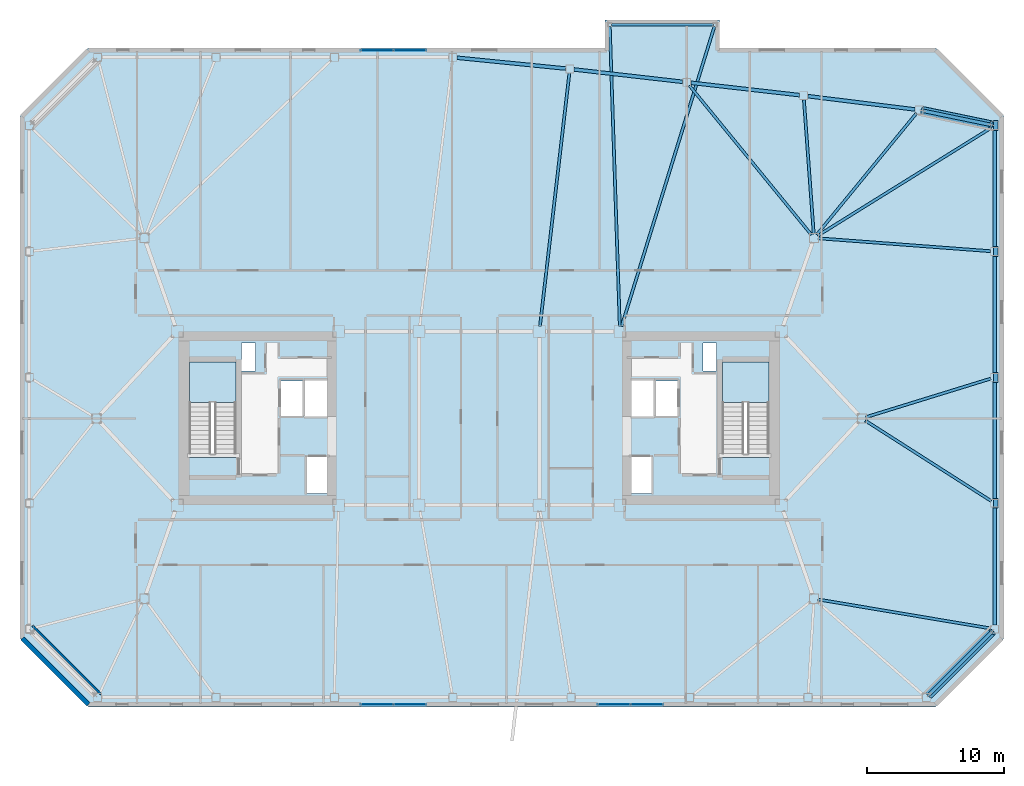
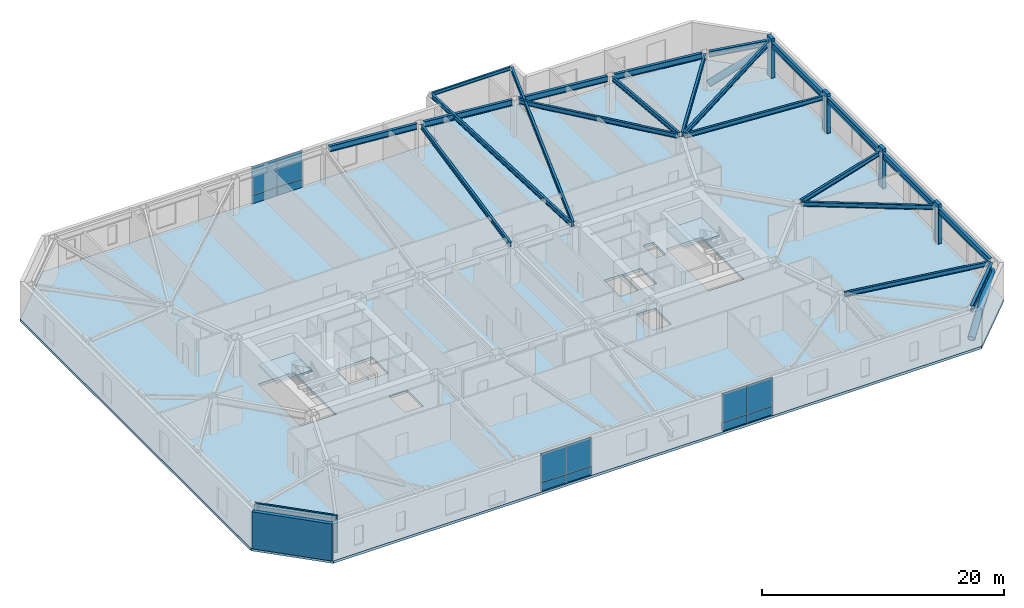
# One storey, part 9 of 18: 22 beams, 12 plates, 6 members, 3 slabs, 2 walls, 5 elements without a shape of their own.
"""IFC4 building model written with IfcOpenShell, lengths in metres."""

from ifc_helpers import new_model, si_unit, direction, frame, frame_2d, origin, origin_2d, place, context, subcontext, project, spatial, polyline, rectangle, hollow_circle, i_section, outline, extrude, material, layer, layer_set, material_profile, profile_set, type_object, element, aggregate, save


model = new_model("IFC4")

# Units and contexts
model_context = context("Model", 3, precision=1e-05, world=origin(), true_north=direction((0.0, 1.0)))
body_context = subcontext(model_context, "Body", "Model", "MODEL_VIEW")
ifc_project = project(units=[si_unit("LENGTHUNIT", "METRE"), si_unit("AREAUNIT", "SQUARE_METRE"), si_unit("VOLUMEUNIT", "CUBIC_METRE"), si_unit("PLANEANGLEUNIT", "RADIAN"), si_unit("MASSUNIT", "GRAM", prefix="KILO")], contexts=[model_context])

# Site, building, storey
site_placement = place(None, origin())
site = spatial("IfcSite", under=ifc_project, at=site_placement, CompositionType="ELEMENT")
building_placement = place(site_placement, origin())
building = spatial("IfcBuilding", under=site, at=building_placement, Name="Tavrogorsk Clinical Tower", CompositionType="ELEMENT")
storey_placement = place(building_placement, frame((0.0, 0.0, 184.199951171875)))
storey = spatial("IfcBuildingStorey", under=building, at=storey_placement, Name="L42", CompositionType="ELEMENT", Elevation=184.199951171875)

# Members
ifc_material_1 = material(Name="Structural steel S440", Category="steel")
ifc_material_profile_1 = material_profile(ifc_material_1, hollow_circle(Radius=0.304931640625, WallThickness=0.02490234375, at=origin_2d()), Name="CHS-610x25")
ifc_profile_set_1 = profile_set([ifc_material_profile_1], Name="Structural steel S440")
member_type_1 = type_object("IfcMemberType", Name="ExoBrace_CHS610", PredefinedType="BRACE", material=ifc_profile_set_1)
member_1_placement = place(storey_placement, frame((32.922607421875, -20.217529296875, 0.4130859375), z_axis=(0.657738695475, 0.657773644396, 0.3670335696), x_axis=(-0.707125566484, 0.70708799539, 0.0)))
element("IfcMember", 1, at=member_1_placement, inside=storey, type_object=member_type_1, Name="L42 Corner Exoskeleton Brace S8-E1", PredefinedType="BRACE", context=body_context, shape_type="SweptSolid", body=[
    extrude(hollow_circle(Radius=0.304931640625, WallThickness=0.02490234375, at=origin_2d()), origin(), (0.0, 0.0, 1.0), 6.985595703125),
])
member_2_placement = place(storey_placement, frame((32.461669921875, 22.509765625, 0.4365234375), z_axis=(0.877871206027, -0.181924853718, 0.442996042002), x_axis=(0.202922555913, 0.979194789764, 0.0)))
element("IfcMember", 2, at=member_2_placement, inside=storey, type_object=member_type_1, Name="L42 Corner Exoskeleton Brace E5-N1", PredefinedType="BRACE", context=body_context, shape_type="SweptSolid", body=[
    extrude(hollow_circle(Radius=0.304931640625, WallThickness=0.02490234375, at=origin_2d()), origin(), (0.0, 0.0, 1.0), 5.681884765625),
])

# Beams
ifc_material_2 = material(Name="Structural steel S355", Category="steel")
ifc_material_profile_2 = material_profile(ifc_material_2, i_section(OverallWidth=0.199951171875, OverallDepth=0.449951171875, WebThickness=0.011474609375, FlangeThickness=0.01806640625, at=origin_2d()), Name="B-450x200x11.5x18")
ifc_profile_set_2 = profile_set([ifc_material_profile_2], Name="Structural steel S355")
beam_type_1 = type_object("IfcBeamType", Name="FloorBeam_B450", PredefinedType="BEAM", material=ifc_profile_set_2)
beam_1_placement = place(storey_placement, frame((24.69677734375, 13.439453125, 3.51513671875), z_axis=(0.634628511763, 0.772817347151, 0.0), x_axis=(-0.772817347151, 0.634628511763, 0.0)))
element("IfcBeam", 3, at=beam_1_placement, inside=storey, type_object=beam_type_1, Name="L42 Radial Floor Beam N1", PredefinedType="BEAM", context=body_context, shape_type="SweptSolid", body=[
    extrude(i_section(OverallWidth=0.199951171875, OverallDepth=0.449951171875, WebThickness=0.011474609375, FlangeThickness=0.01806640625, at=origin_2d()), origin(), (0.0, 0.0, 1.0), 11.501220703125),
])
beam_2_placement = place(storey_placement, frame((24.477294921875, 13.50927734375, 3.51513671875), z_axis=(-0.072962981763, 0.9973346496, 0.0), x_axis=(-0.9973346496, -0.072962981763, 0.0)))
element("IfcBeam", 4, at=beam_2_placement, inside=storey, type_object=beam_type_1, Name="L42 Radial Floor Beam N2", PredefinedType="BEAM", context=body_context, shape_type="SweptSolid", body=[
    extrude(i_section(OverallWidth=0.199951171875, OverallDepth=0.449951171875, WebThickness=0.011474609375, FlangeThickness=0.01806640625, at=origin_2d()), origin(), (0.0, 0.0, 1.0), 9.827392578125),
])
beam_3_placement = place(storey_placement, frame((24.3037109375, 13.43994140625, 3.51513671875), z_axis=(-0.632955765669, 0.774187960838, 0.0), x_axis=(-0.774187960838, -0.632955765669, 0.0)))
element("IfcBeam", 5, at=beam_3_placement, inside=storey, type_object=beam_type_1, Name="L42 Radial Floor Beam N3", PredefinedType="BEAM", context=body_context, shape_type="SweptSolid", body=[
    extrude(i_section(OverallWidth=0.199951171875, OverallDepth=0.449951171875, WebThickness=0.011474609375, FlangeThickness=0.01806640625, at=origin_2d()), origin(), (0.0, 0.0, 1.0), 14.09716796875),
])
beam_4_placement = place(storey_placement, frame((4.447265625, 6.75732421875, 3.51513671875), z_axis=(0.115490633481, 0.993308569166, 0.0), x_axis=(-0.993308569166, 0.115490633481, 0.0)))
element("IfcBeam", 6, at=beam_4_placement, inside=storey, type_object=beam_type_1, Name="L42 Radial Floor Beam N4", PredefinedType="BEAM", context=body_context, shape_type="SweptSolid", body=[
    extrude(i_section(OverallWidth=0.199951171875, OverallDepth=0.449951171875, WebThickness=0.011474609375, FlangeThickness=0.01806640625, at=origin_2d()), origin(), (0.0, 0.0, 1.0), 18.628173828125),
])
beam_5_placement = place(storey_placement, frame((24.8056640625, -13.251220703125, 3.51513671875), z_axis=(0.986191418361, -0.165609439197, 0.0), x_axis=(0.165609439197, 0.986191418361, 0.0)))
element("IfcBeam", 7, at=beam_5_placement, inside=storey, type_object=beam_type_1, Name="L42 Radial Floor Beam E1", PredefinedType="BEAM", context=body_context, shape_type="SweptSolid", body=[
    extrude(i_section(OverallWidth=0.199951171875, OverallDepth=0.449951171875, WebThickness=0.011474609375, FlangeThickness=0.01806640625, at=origin_2d()), origin(), (0.0, 0.0, 1.0), 12.787109375),
])
beam_6_placement = place(storey_placement, frame((28.26123046875, -0.1669921875, 3.51513671875), z_axis=(0.842699642064, -0.538383983106, 0.0), x_axis=(0.538383983106, 0.842699642064, 0.0)))
element("IfcBeam", 8, at=beam_6_placement, inside=storey, type_object=beam_type_1, Name="L42 Radial Floor Beam E2", PredefinedType="BEAM", context=body_context, shape_type="SweptSolid", body=[
    extrude(i_section(OverallWidth=0.199951171875, OverallDepth=0.449951171875, WebThickness=0.011474609375, FlangeThickness=0.01806640625, at=origin_2d()), origin(), (0.0, 0.0, 1.0), 10.916259765625),
])
beam_7_placement = place(storey_placement, frame((28.296142578125, 0.09130859375, 3.51513671875), z_axis=(0.955521187686, 0.294922464187, 0.0), x_axis=(-0.294922464187, 0.955521187686, 0.0)))
element("IfcBeam", 9, at=beam_7_placement, inside=storey, type_object=beam_type_1, Name="L42 Radial Floor Beam E3", PredefinedType="BEAM", context=body_context, shape_type="SweptSolid", body=[
    extrude(i_section(OverallWidth=0.199951171875, OverallDepth=0.449951171875, WebThickness=0.011474609375, FlangeThickness=0.01806640625, at=origin_2d()), origin(), (0.0, 0.0, 1.0), 9.5546875),
])
beam_8_placement = place(storey_placement, frame((24.80908203125, 13.1767578125, 3.51513671875), z_axis=(0.997207767172, -0.074677098845, 0.0), x_axis=(0.074677098845, 0.997207767172, 0.0)))
element("IfcBeam", 10, at=beam_8_placement, inside=storey, type_object=beam_type_1, Name="L42 Radial Floor Beam E4", PredefinedType="BEAM", context=body_context, shape_type="SweptSolid", body=[
    extrude(i_section(OverallWidth=0.199951171875, OverallDepth=0.449951171875, WebThickness=0.011474609375, FlangeThickness=0.01806640625, at=origin_2d()), origin(), (0.0, 0.0, 1.0), 12.63916015625),
])
beam_9_placement = place(storey_placement, frame((24.76318359375, 13.36376953125, 3.51513671875), z_axis=(0.849229115923, 0.528024534154, 0.0), x_axis=(-0.528024534154, 0.849229115923, 0.0)))
element("IfcBeam", 11, at=beam_9_placement, inside=storey, type_object=beam_type_1, Name="L42 Radial Floor Beam E5", PredefinedType="BEAM", context=body_context, shape_type="SweptSolid", body=[
    extrude(i_section(OverallWidth=0.199951171875, OverallDepth=0.449951171875, WebThickness=0.011474609375, FlangeThickness=0.01806640625, at=origin_2d()), origin(), (0.0, 0.0, 1.0), 14.94921875),
])
beam_10_placement = place(storey_placement, frame((10.286376953125, 6.759765625, 3.51513671875), z_axis=(-0.033391250591, 0.999442356709, 0.0), x_axis=(-0.999442356709, -0.033391250591, 0.0)))
element("IfcBeam", 12, at=beam_10_placement, inside=storey, type_object=beam_type_1, Name="L42 Day-Room Cantilever Beam DRB-06-L", PredefinedType="BEAM", context=body_context, shape_type="SweptSolid", body=[
    extrude(i_section(OverallWidth=0.199951171875, OverallDepth=0.449951171875, WebThickness=0.011474609375, FlangeThickness=0.01806640625, at=origin_2d()), origin(), (0.0, 0.0, 1.0), 21.91259765625),
])
beam_11_placement = place(storey_placement, frame((10.421142578125, 6.74169921875, 3.51513671875), z_axis=(0.295730646784, 0.95527136697, 0.0), x_axis=(-0.95527136697, 0.295730646784, 0.0)))
element("IfcBeam", 13, at=beam_11_placement, inside=storey, type_object=beam_type_1, Name="L42 Day-Room Cantilever Beam DRB-06-R", PredefinedType="BEAM", context=body_context, shape_type="SweptSolid", body=[
    extrude(i_section(OverallWidth=0.199951171875, OverallDepth=0.449951171875, WebThickness=0.011474609375, FlangeThickness=0.01806640625, at=origin_2d()), origin(), (0.0, 0.0, 1.0), 22.951171875),
])

# Members
ifc_material_3 = material(Name="Precast concrete B45 with limestone cladding", Category="masonry")
ifc_material_profile_3 = material_profile(ifc_material_3, rectangle(XDim=0.320068359375, YDim=0.719970703125, at=origin_2d()), Name="LIMESTONE-FIN-320x720")
ifc_profile_set_3 = profile_set([ifc_material_profile_3], Name="Precast concrete B45 with limestone cladding")
member_type_2 = type_object("IfcMemberType", Name="LimestonePleatFin_320x720", PredefinedType="USERDEFINED", material=ifc_profile_set_3)
for number, where, z_axis, x_axis, name in (
    (14, (37.800048828125, -6.2099609375, 0.0), (0.0, 0.0, 1.0), (1.0, 0.0, 0.0), "L42 E Pleated Stone Fin 1"),
    (15, (37.800048828125, 3.0, 0.0), (0.0, 0.0, 1.0), (1.0, 0.0, 0.0), "L42 E Pleated Stone Fin 2"),
    (16, (37.800048828125, 12.2099609375, 0.0), (0.0, 0.0, 1.0), (1.0, 0.0, 0.0), "L42 E Pleated Stone Fin 3"),
    (17, (37.800048828125, 21.419921875, 0.0), (0.0, 0.0, 1.0), (1.0, 0.0, 0.0), "L42 E Pleated Stone Fin 4"),
):
    element("IfcMember", number, at=place(storey_placement, frame(where, z_axis=z_axis, x_axis=x_axis)), inside=storey, type_object=member_type_2, Name=name, ObjectType="FIN", PredefinedType="USERDEFINED", context=body_context, shape_type="SweptSolid", body=[
        extrude(rectangle(XDim=0.320068359375, YDim=0.719970703125, at=origin_2d()), origin(), (0.0, 0.0, 1.0), 4.0),
    ])

# Beams
ifc_material_4 = material(Name="Structural steel S355", Category="steel")
ifc_material_profile_4 = material_profile(ifc_material_4, i_section(OverallWidth=0.175048828125, OverallDepth=0.35009765625, WebThickness=0.009521484375, FlangeThickness=0.013916015625, at=origin_2d()), Name="B-350x175x9.5x14")
ifc_profile_set_4 = profile_set([ifc_material_profile_4], Name="Structural steel S355")
beam_type_2 = type_object("IfcBeamType", Name="SecondaryJoist_B350", PredefinedType="JOIST", material=ifc_profile_set_4)
beam_12_placement = place(storey_placement, frame((9.669921875, 28.800048828125, 3.56494140625), z_axis=(1.0, 0.0, 0.0), x_axis=(0.0, 1.0, 0.0)))
element("IfcBeam", 18, at=beam_12_placement, inside=storey, type_object=beam_type_2, Name="L42 Day-Room Front Edge Beam DRB-06", PredefinedType="JOIST", context=body_context, shape_type="SweptSolid", body=[
    extrude(i_section(OverallWidth=0.175048828125, OverallDepth=0.35009765625, WebThickness=0.009521484375, FlangeThickness=0.013916015625, at=origin_2d()), origin(), (0.0, 0.0, 1.0), 7.4599609375),
])
ifc_material_5 = material(Name="Structural steel S390", Category="steel")
ifc_material_profile_5 = material_profile(ifc_material_5, i_section(OverallWidth=0.260009765625, OverallDepth=0.60009765625, WebThickness=0.014892578125, FlangeThickness=0.02392578125, at=origin_2d()), Name="B-600x260x15x24")
ifc_profile_set_5 = profile_set([ifc_material_profile_5], Name="Structural steel S390")
beam_type_3 = type_object("IfcBeamType", Name="SpandrelBeam_B600", PredefinedType="SPANDREL", material=ifc_profile_set_5)
beam_13_placement = place(storey_placement, frame((32.937744140625, -20.2021484375, 3.43994140625), z_axis=(0.707106781187, 0.707106781187, 0.0), x_axis=(-0.707106781187, 0.707106781187, 0.0)))
element("IfcBeam", 19, at=beam_13_placement, inside=storey, type_object=beam_type_3, Name="L42 Perimeter Spandrel S8-E1", PredefinedType="SPANDREL", context=body_context, shape_type="SweptSolid", body=[
    extrude(i_section(OverallWidth=0.260009765625, OverallDepth=0.60009765625, WebThickness=0.014892578125, FlangeThickness=0.02392578125, at=origin_2d()), origin(), (0.0, 0.0, 1.0), 6.455078125),
])
for number, where, z_axis, x_axis, name in (
    (20, (37.719970703125, -15.112060546875, 3.43994140625), (0.0, 1.0, 0.0), (-1.0, 0.0, 0.0), "L42 Perimeter Spandrel E1-E2"),
    (21, (37.719970703125, -5.902099609375, 3.43994140625), (0.0, 1.0, 0.0), (-1.0, 0.0, 0.0), "L42 Perimeter Spandrel E2-E3"),
    (22, (37.719970703125, 3.30810546875, 3.43994140625), (0.0, 1.0, 0.0), (-1.0, 0.0, 0.0), "L42 Perimeter Spandrel E3-E4"),
    (23, (37.719970703125, 12.51806640625, 3.43994140625), (0.0, 1.0, 0.0), (-1.0, 0.0, 0.0), "L42 Perimeter Spandrel E4-E5"),
):
    element("IfcBeam", number, at=place(storey_placement, frame(where, z_axis=z_axis, x_axis=x_axis)), inside=storey, type_object=beam_type_3, Name=name, PredefinedType="SPANDREL", context=body_context, shape_type="SweptSolid", body=[
        extrude(i_section(OverallWidth=0.260009765625, OverallDepth=0.60009765625, WebThickness=0.014892578125, FlangeThickness=0.02392578125, at=origin_2d()), origin(), (0.0, 0.0, 1.0), 8.593994140625),
    ])
beam_14_placement = place(storey_placement, frame((37.41845703125, 21.482421875, 3.43994140625), z_axis=(-0.979184643877, 0.202971508337, 0.0), x_axis=(-0.202971508337, -0.979184643877, 0.0)))
element("IfcBeam", 24, at=beam_14_placement, inside=storey, type_object=beam_type_3, Name="L42 Perimeter Spandrel E5-N1", PredefinedType="SPANDREL", context=body_context, shape_type="SweptSolid", body=[
    extrude(i_section(OverallWidth=0.260009765625, OverallDepth=0.60009765625, WebThickness=0.014892578125, FlangeThickness=0.02392578125, at=origin_2d()), origin(), (0.0, 0.0, 1.0), 5.0302734375),
])
beam_15_placement = place(storey_placement, frame((31.8857421875, 22.60400390625, 3.43994140625), z_axis=(-0.992347112015, 0.123479590521, 0.0), x_axis=(-0.123479590521, -0.992347112015, 0.0)))
element("IfcBeam", 25, at=beam_15_placement, inside=storey, type_object=beam_type_3, Name="L42 Perimeter Spandrel N1-N2", PredefinedType="SPANDREL", context=body_context, shape_type="SweptSolid", body=[
    extrude(i_section(OverallWidth=0.260009765625, OverallDepth=0.60009765625, WebThickness=0.014892578125, FlangeThickness=0.02392578125, at=origin_2d()), origin(), (0.0, 0.0, 1.0), 7.90283203125),
])
beam_16_placement = place(storey_placement, frame((23.431884765625, 23.652587890625, 3.43994140625), z_axis=(-0.993569841398, 0.113220891465, 0.0), x_axis=(-0.113220891465, -0.993569841398, 0.0)))
element("IfcBeam", 26, at=beam_16_placement, inside=storey, type_object=beam_type_3, Name="L42 Perimeter Spandrel N2-N3", PredefinedType="SPANDREL", context=body_context, shape_type="SweptSolid", body=[
    extrude(i_section(OverallWidth=0.260009765625, OverallDepth=0.60009765625, WebThickness=0.014892578125, FlangeThickness=0.02392578125, at=origin_2d()), origin(), (0.0, 0.0, 1.0), 7.9912109375),
])
beam_17_placement = place(storey_placement, frame((14.8798828125, 24.626953125, 3.43994140625), z_axis=(-0.993569449752, 0.113224328304, 0.0), x_axis=(-0.113224328304, -0.993569449752, 0.0)))
element("IfcBeam", 27, at=beam_17_placement, inside=storey, type_object=beam_type_3, Name="L42 Perimeter Spandrel N3-N4", PredefinedType="SPANDREL", context=body_context, shape_type="SweptSolid", body=[
    extrude(i_section(OverallWidth=0.260009765625, OverallDepth=0.60009765625, WebThickness=0.014892578125, FlangeThickness=0.02392578125, at=origin_2d()), origin(), (0.0, 0.0, 1.0), 7.990966796875),
])
beam_18_placement = place(storey_placement, frame((6.32763671875, 25.59716796875, 3.43994140625), z_axis=(-0.995074624158, 0.099128665666, 0.0), x_axis=(-0.099128665666, -0.995074624158, 0.0)))
element("IfcBeam", 28, at=beam_18_placement, inside=storey, type_object=beam_type_3, Name="L42 Perimeter Spandrel N4-N5", PredefinedType="SPANDREL", context=body_context, shape_type="SweptSolid", body=[
    extrude(i_section(OverallWidth=0.260009765625, OverallDepth=0.60009765625, WebThickness=0.014892578125, FlangeThickness=0.02392578125, at=origin_2d()), origin(), (0.0, 0.0, 1.0), 7.991943359375),
])

# Curtain wall, plates
ifc_material_6 = material(Name="Anodised aluminium and triple IGU glazing", Category="aluminium")
ifc_layer_1 = layer(ifc_material_6, 0.179931640625)
ifc_layer_set_1 = layer_set([ifc_layer_1], Name="Anodised aluminium and triple IGU glazing")
curtain_wall_type_1 = type_object("IfcCurtainWallType", Name="CW3_SouthSlot", PredefinedType="NOTDEFINED", material=ifc_layer_set_1)
curtain_wall_1_placement = place(storey_placement, origin())
curtain_wall_1 = element("IfcCurtainWall", 29, at=curtain_wall_1_placement, inside=storey, type_object=curtain_wall_type_1, Name="L42 Curtain Wall CW-L42-S-SLOT-1", PredefinedType="NOTDEFINED")
ifc_material_7 = material(Name="Honed Podolsk limestone spandrel panel", Category="masonry")
ifc_layer_2 = layer(ifc_material_7, 0.080078125)
ifc_layer_set_2 = layer_set([ifc_layer_2], Name="Honed Podolsk limestone spandrel panel")
plate_type_1 = type_object("IfcPlateType", Name="CwSpandrelStonePanel_80", PredefinedType="CURTAIN_PANEL", material=ifc_layer_set_2)
plate_1_placement = place(storey_placement, frame((-7.470947265625, -20.929931640625, 0.002197265625), z_axis=(0.0, 0.0, 1.0), x_axis=(1.0, 0.0, 0.0)))
plate_1 = element("IfcPlate", 30, at=plate_1_placement, type_object=plate_type_1, Name="CW-L42-S-SLOT-1 Stone Spandrel Panel 1", PredefinedType="CURTAIN_PANEL", context=body_context, shape_type="SweptSolid", body=[
    extrude(rectangle(XDim=2.39208984375, YDim=0.080078125, at=origin_2d()), origin(), (0.0, 0.0, 1.0), 0.8359375),
])
plate_2_placement = place(storey_placement, frame((-5.054931640625, -20.929931640625, 0.002197265625), z_axis=(0.0, 0.0, 1.0), x_axis=(1.0, 0.0, 0.0)))
plate_2 = element("IfcPlate", 31, at=plate_2_placement, type_object=plate_type_1, Name="CW-L42-S-SLOT-1 Stone Spandrel Panel 2", PredefinedType="CURTAIN_PANEL", context=body_context, shape_type="SweptSolid", body=[
    extrude(rectangle(XDim=2.39208984375, YDim=0.080078125, at=origin_2d()), origin(), (0.0, 0.0, 1.0), 0.8359375),
])

curtain_wall_2_placement = place(storey_placement, origin())
curtain_wall_2 = element("IfcCurtainWall", 32, at=curtain_wall_2_placement, inside=storey, type_object=curtain_wall_type_1, Name="L42 Curtain Wall CW-L42-S-SLOT-2", PredefinedType="NOTDEFINED")
plate_3_placement = place(storey_placement, frame((9.854736328125, -20.929931640625, 0.002197265625), z_axis=(0.0, 0.0, 1.0), x_axis=(1.0, 0.0, 0.0)))
plate_3 = element("IfcPlate", 33, at=plate_3_placement, type_object=plate_type_1, Name="CW-L42-S-SLOT-2 Stone Spandrel Panel 1", PredefinedType="CURTAIN_PANEL", context=body_context, shape_type="SweptSolid", body=[
    extrude(rectangle(XDim=2.39208984375, YDim=0.080078125, at=origin_2d()), origin(), (0.0, 0.0, 1.0), 0.8359375),
])
plate_4_placement = place(storey_placement, frame((12.270751953125, -20.929931640625, 0.002197265625), z_axis=(0.0, 0.0, 1.0), x_axis=(1.0, 0.0, 0.0)))
plate_4 = element("IfcPlate", 34, at=plate_4_placement, type_object=plate_type_1, Name="CW-L42-S-SLOT-2 Stone Spandrel Panel 2", PredefinedType="CURTAIN_PANEL", context=body_context, shape_type="SweptSolid", body=[
    extrude(rectangle(XDim=2.39208984375, YDim=0.080078125, at=origin_2d()), origin(), (0.0, 0.0, 1.0), 0.8359375),
])

ifc_material_8 = material(Name="Anodised aluminium and triple IGU glazing", Category="aluminium")
ifc_layer_3 = layer(ifc_material_8, 0.179931640625)
ifc_layer_set_3 = layer_set([ifc_layer_3], Name="Anodised aluminium and triple IGU glazing")
curtain_wall_type_2 = type_object("IfcCurtainWallType", Name="CW2_NorthSlot", PredefinedType="NOTDEFINED", material=ifc_layer_set_3)
curtain_wall_3_placement = place(storey_placement, origin())
curtain_wall_3 = element("IfcCurtainWall", 35, at=curtain_wall_3_placement, inside=storey, type_object=curtain_wall_type_2, Name="L42 Curtain Wall CW-L42-N-SLOT-1", PredefinedType="NOTDEFINED")
plate_5_placement = place(storey_placement, frame((-5.054931640625, 26.929931640625, 0.002197265625), z_axis=(0.0, 0.0, 1.0), x_axis=(-1.0, 0.0, 0.0)))
plate_5 = element("IfcPlate", 36, at=plate_5_placement, type_object=plate_type_1, Name="CW-L42-N-SLOT-1 Stone Spandrel Panel 1", PredefinedType="CURTAIN_PANEL", context=body_context, shape_type="SweptSolid", body=[
    extrude(rectangle(XDim=2.39208984375, YDim=0.080078125, at=origin_2d()), origin(), (0.0, 0.0, 1.0), 0.8359375),
])
plate_6_placement = place(storey_placement, frame((-7.470947265625, 26.929931640625, 0.002197265625), z_axis=(0.0, 0.0, 1.0), x_axis=(-1.0, 0.0, 0.0)))
plate_6 = element("IfcPlate", 37, at=plate_6_placement, type_object=plate_type_1, Name="CW-L42-N-SLOT-1 Stone Spandrel Panel 2", PredefinedType="CURTAIN_PANEL", context=body_context, shape_type="SweptSolid", body=[
    extrude(rectangle(XDim=2.39208984375, YDim=0.080078125, at=origin_2d()), origin(), (0.0, 0.0, 1.0), 0.8359375),
])

# Plate
ifc_material_9 = material(Name="Triple low-E argon insulated glass", Category="glass")
ifc_layer_4 = layer(ifc_material_9, 0.048095703125)
ifc_layer_set_4 = layer_set([ifc_layer_4], Name="Triple low-E argon insulated glass")
plate_type_2 = type_object("IfcPlateType", Name="CwVisionGlassPanel_48", PredefinedType="CURTAIN_PANEL", material=ifc_layer_set_4)
plate_7_placement = place(storey_placement, frame((-7.470947265625, -20.929931640625, 0.862060546875), z_axis=(0.0, 0.0, 1.0), x_axis=(1.0, 0.0, 0.0)))
plate_7 = element("IfcPlate", 38, at=plate_7_placement, type_object=plate_type_2, Name="CW-L42-S-SLOT-1 Glazing Panel 1", PredefinedType="CURTAIN_PANEL", context=body_context, shape_type="SweptSolid", body=[
    extrude(rectangle(XDim=2.39208984375, YDim=0.048095703125, at=origin_2d()), origin(), (0.0, 0.0, 1.0), 2.8759765625),
])

plate_8_placement = place(storey_placement, frame((-5.054931640625, -20.929931640625, 0.862060546875), z_axis=(0.0, 0.0, 1.0), x_axis=(1.0, 0.0, 0.0)))
plate_8 = element("IfcPlate", 39, at=plate_8_placement, type_object=plate_type_2, Name="CW-L42-S-SLOT-1 Glazing Panel 2", PredefinedType="CURTAIN_PANEL", context=body_context, shape_type="SweptSolid", body=[
    extrude(rectangle(XDim=2.39208984375, YDim=0.048095703125, at=origin_2d()), origin(), (0.0, 0.0, 1.0), 2.8759765625),
])

aggregate(curtain_wall_1, [plate_1, plate_7, plate_2, plate_8])

plate_9_placement = place(storey_placement, frame((9.854736328125, -20.929931640625, 0.862060546875), z_axis=(0.0, 0.0, 1.0), x_axis=(1.0, 0.0, 0.0)))
plate_9 = element("IfcPlate", 40, at=plate_9_placement, type_object=plate_type_2, Name="CW-L42-S-SLOT-2 Glazing Panel 1", PredefinedType="CURTAIN_PANEL", context=body_context, shape_type="SweptSolid", body=[
    extrude(rectangle(XDim=2.39208984375, YDim=0.048095703125, at=origin_2d()), origin(), (0.0, 0.0, 1.0), 2.8759765625),
])

plate_10_placement = place(storey_placement, frame((12.270751953125, -20.929931640625, 0.862060546875), z_axis=(0.0, 0.0, 1.0), x_axis=(1.0, 0.0, 0.0)))
plate_10 = element("IfcPlate", 41, at=plate_10_placement, type_object=plate_type_2, Name="CW-L42-S-SLOT-2 Glazing Panel 2", PredefinedType="CURTAIN_PANEL", context=body_context, shape_type="SweptSolid", body=[
    extrude(rectangle(XDim=2.39208984375, YDim=0.048095703125, at=origin_2d()), origin(), (0.0, 0.0, 1.0), 2.8759765625),
])

aggregate(curtain_wall_2, [plate_3, plate_9, plate_4, plate_10])

plate_11_placement = place(storey_placement, frame((-5.054931640625, 26.929931640625, 0.862060546875), z_axis=(0.0, 0.0, 1.0), x_axis=(-1.0, 0.0, 0.0)))
plate_11 = element("IfcPlate", 42, at=plate_11_placement, type_object=plate_type_2, Name="CW-L42-N-SLOT-1 Glazing Panel 1", PredefinedType="CURTAIN_PANEL", context=body_context, shape_type="SweptSolid", body=[
    extrude(rectangle(XDim=2.39208984375, YDim=0.048095703125, at=origin_2d()), origin(), (0.0, 0.0, 1.0), 2.8759765625),
])

plate_12_placement = place(storey_placement, frame((-7.470947265625, 26.929931640625, 0.862060546875), z_axis=(0.0, 0.0, 1.0), x_axis=(-1.0, 0.0, 0.0)))
plate_12 = element("IfcPlate", 43, at=plate_12_placement, type_object=plate_type_2, Name="CW-L42-N-SLOT-1 Glazing Panel 2", PredefinedType="CURTAIN_PANEL", context=body_context, shape_type="SweptSolid", body=[
    extrude(rectangle(XDim=2.39208984375, YDim=0.048095703125, at=origin_2d()), origin(), (0.0, 0.0, 1.0), 2.8759765625),
])

aggregate(curtain_wall_3, [plate_5, plate_11, plate_6, plate_12])

# Stair, slab
ifc_material_10 = material(Name="Concrete B60", Category="concrete")
stair_type = type_object("IfcStairType", Name="CoreStairAssembly", PredefinedType="HALF_TURN_STAIR", material=ifc_material_10)
stair_1_placement = place(storey_placement, origin())
stair_1 = element("IfcStair", 44, at=stair_1_placement, inside=storey, type_object=stair_type, Name="L42 ST-W", PredefinedType="HALF_TURN_STAIR")
ifc_material_11 = material(Name="Concrete B60", Category="concrete")
ifc_layer_5 = layer(ifc_material_11, 0.199951171875)
ifc_layer_set_5 = layer_set([ifc_layer_5], Name="Concrete B60")
slab_type_1 = type_object("IfcSlabType", Name="StairLanding_200", PredefinedType="LANDING", material=ifc_layer_set_5)
slab_1_placement = place(storey_placement, frame((0.0, 0.0, 1.800048828125)))
slab_1 = element("IfcSlab", 45, at=slab_1_placement, type_object=slab_type_1, Name="ST-W landing 1", PredefinedType="LANDING", context=body_context, shape_type="SweptSolid", body=[
    extrude(outline(polyline([(-17.800048828125, 1.1650390625), (-17.800048828125, 4.125), (-21.199951171875, 4.125), (-21.199951171875, 1.1650390625), (-17.800048828125, 1.1650390625)])), origin(), (0.0, 0.0, 1.0), 0.199951171875),
])
aggregate(stair_1, [slab_1])

stair_2_placement = place(storey_placement, origin())
stair_2 = element("IfcStair", 46, at=stair_2_placement, inside=storey, type_object=stair_type, Name="L42 ST-E", PredefinedType="HALF_TURN_STAIR")
slab_2_placement = place(storey_placement, frame((0.0, 0.0, 1.800048828125)))
slab_2 = element("IfcSlab", 47, at=slab_2_placement, type_object=slab_type_1, Name="ST-E landing 1", PredefinedType="LANDING", context=body_context, shape_type="SweptSolid", body=[
    extrude(outline(polyline([(21.199951171875, 1.1650390625), (21.199951171875, 4.125), (17.800048828125, 4.125), (17.800048828125, 1.1650390625), (21.199951171875, 1.1650390625)])), origin(), (0.0, 0.0, 1.0), 0.199951171875),
])
aggregate(stair_2, [slab_2])

# Slab
ifc_material_12 = material(Name="Concrete B60", Category="concrete")
ifc_layer_6 = layer(ifc_material_12, 0.260009765625)
ifc_layer_set_6 = layer_set([ifc_layer_6], Name="Concrete B60")
slab_type_2 = type_object("IfcSlabType", Name="WardSlab_260", PredefinedType="FLOOR", material=ifc_layer_set_6)
slab_3_placement = place(storey_placement, frame((0.0, 0.0, -0.260009765625)))
element("IfcSlab", 48, at=slab_3_placement, inside=storey, type_object=slab_type_2, Name="L42 Structural Slab", PredefinedType="FLOOR", context=body_context, shape_type="SweptSolid", body=[
    extrude(outline(polyline([(33.39990234375, 27.10009765625), (38.39990234375, 22.10009765625), (38.39990234375, -16.10009765625), (33.39990234375, -21.10009765625), (-28.60009765625, -21.10009765625), (-33.60009765625, -16.10009765625), (-33.60009765625, 22.10009765625), (-28.60009765625, 27.10009765625), (9.199951171875, 27.10009765625), (9.199951171875, 29.14990234375), (17.60009765625, 29.14990234375), (17.60009765625, 27.10009765625), (33.39990234375, 27.10009765625)]), holes=[polyline([(-17.800048828125, -2.8798828125), (-17.800048828125, 4.125), (-21.199951171875, 4.125), (-21.199951171875, -2.8798828125), (-17.800048828125, -2.8798828125)]), polyline([(21.199951171875, -2.8798828125), (21.199951171875, 4.125), (17.800048828125, 4.125), (17.800048828125, -2.8798828125), (21.199951171875, -2.8798828125)]), polyline([(-14.6201171875, 0.169921875), (-12.860107421875, 0.169921875), (-12.860107421875, 2.72998046875), (-14.6201171875, 2.72998046875), (-14.6201171875, 0.169921875)]), polyline([(-12.72998046875, -5.47998046875), (-10.969970703125, -5.47998046875), (-10.969970703125, -2.820068359375), (-12.72998046875, -2.820068359375), (-12.72998046875, -5.47998046875)]), polyline([(-12.840087890625, 0.1201171875), (-11.080078125, 0.1201171875), (-11.080078125, 2.780029296875), (-12.840087890625, 2.780029296875), (-12.840087890625, 0.1201171875)]), polyline([(12.860107421875, 0.169921875), (14.6201171875, 0.169921875), (14.6201171875, 2.72998046875), (12.860107421875, 2.72998046875), (12.860107421875, 0.169921875)]), polyline([(10.969970703125, -5.47998046875), (12.72998046875, -5.47998046875), (12.72998046875, -2.820068359375), (10.969970703125, -2.820068359375), (10.969970703125, -5.47998046875)]), polyline([(11.080078125, 0.1201171875), (12.840087890625, 0.1201171875), (12.840087890625, 2.780029296875), (11.080078125, 2.780029296875), (11.080078125, 0.1201171875)]), polyline([(-17.3798828125, 3.449951171875), (-16.3798828125, 3.449951171875), (-16.3798828125, 5.5), (-17.3798828125, 5.5), (-17.3798828125, 3.449951171875)]), polyline([(16.3798828125, 3.449951171875), (17.3798828125, 3.449951171875), (17.3798828125, 5.5), (16.3798828125, 5.5), (16.3798828125, 3.449951171875)])]), origin(), (0.0, 0.0, 1.0), 0.260009765625),
])

# Walls
ifc_material_13 = material(Name="Lightweight concrete blockwork B15", Category="masonry")
ifc_layer_7 = layer(ifc_material_13, 0.159912109375)
ifc_layer_set_7 = layer_set([ifc_layer_7], Name="Lightweight concrete blockwork B15")
wall_type_1 = type_object("IfcWallType", Name="PartitionWall_160", PredefinedType="PARTITIONING", material=ifc_layer_set_7)
wall_1_placement = place(storey_placement, frame((-32.6796875, -15.1796875, 0.0), z_axis=(0.0, 0.0, 1.0), x_axis=(0.707106781187, -0.707106781187, 0.0)))
element("IfcWall", 49, at=wall_1_placement, inside=storey, type_object=wall_type_1, Name="L42 Corner Exoskeleton Brace Furring Wall 4", PredefinedType="PARTITIONING", context=body_context, shape_type="SweptSolid", body=[
    extrude(rectangle(XDim=7.071044921875, YDim=0.159912109375, at=frame_2d((3.53564453125, 0.0))), origin(), (0.0, 0.0, 1.0), 3.739990234375),
])
ifc_material_14 = material(Name="Precast concrete B45 with limestone cladding", Category="masonry")
ifc_layer_8 = layer(ifc_material_14, 0.340087890625)
ifc_layer_set_8 = layer_set([ifc_layer_8], Name="Precast concrete B45 with limestone cladding")
wall_type_2 = type_object("IfcWallType", Name="PrecastLimestoneWall_340", PredefinedType="STANDARD", material=ifc_layer_set_8)
wall_2_placement = place(storey_placement, frame((-33.429931640625, -16.10009765625, 0.0), z_axis=(0.0, 0.0, 1.0), x_axis=(0.707106781187, -0.707106781187, 0.0)))
element("IfcWall", 50, at=wall_2_placement, inside=storey, type_object=wall_type_2, Name="L42 Chamfered Corner Wall 4", PredefinedType="STANDARD", context=body_context, shape_type="SweptSolid", body=[
    extrude(rectangle(XDim=6.830322265625, YDim=0.340087890625, at=frame_2d((3.4150390625, 0.0))), origin(), (0.0, 0.0, 1.0), 3.739990234375),
])

save(model, "model.ifc")
